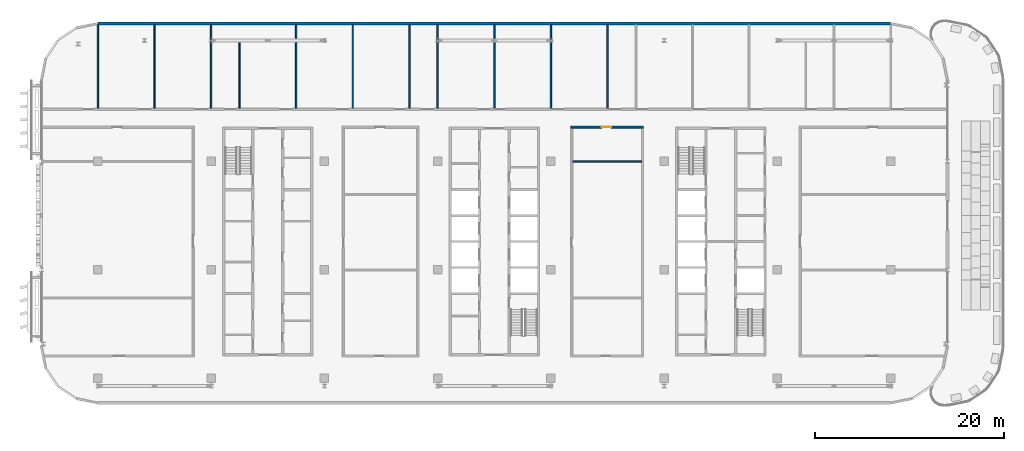
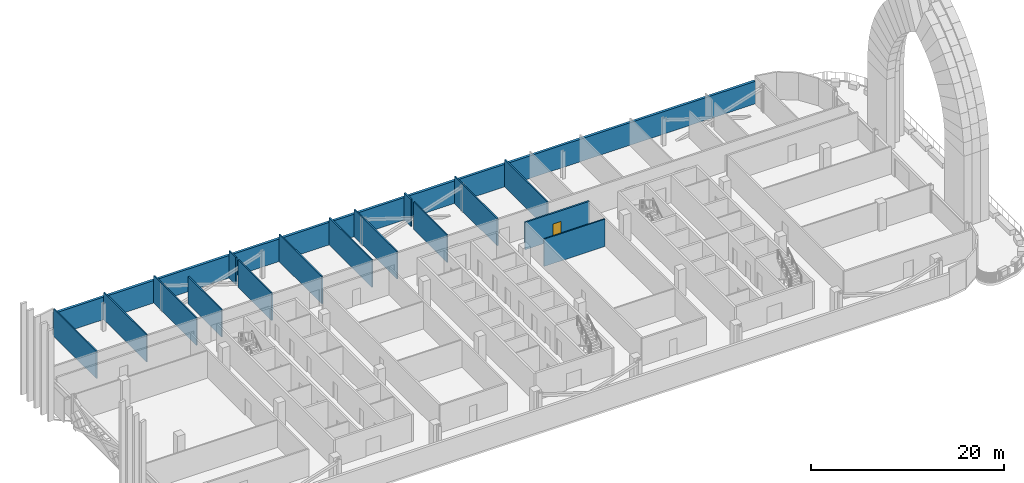
# One storey, part 16 of 30: 16 walls, 1 door, 1 opening.
"""IFC4 building model written with IfcOpenShell, lengths in metres."""

from ifc_helpers import new_model, si_unit, direction, frame, frame_2d, origin, place, context, subcontext, project, spatial, rectangle, extrude, material, layer, layer_set, type_object, element, fill, save


model = new_model("IFC4")

# Units and contexts
model_context = context("Model", 3, precision=1e-05, world=origin(), true_north=direction((0.0, 1.0)))
body_context = subcontext(model_context, "Body", "Model", "MODEL_VIEW")
ifc_project = project(units=[si_unit("LENGTHUNIT", "METRE"), si_unit("AREAUNIT", "SQUARE_METRE"), si_unit("VOLUMEUNIT", "CUBIC_METRE"), si_unit("PLANEANGLEUNIT", "RADIAN"), si_unit("MASSUNIT", "GRAM", prefix="KILO")], contexts=[model_context])

# Site, building, storey
site_placement = place(None, origin())
site = spatial("IfcSite", under=ifc_project, at=site_placement, CompositionType="ELEMENT")
building_placement = place(site_placement, origin())
building = spatial("IfcBuilding", under=site, at=building_placement, Name="Mahtab Terrace Research Tower", CompositionType="ELEMENT")
storey_placement = place(building_placement, frame((0.0, 0.0, 263.300048828125)))
storey = spatial("IfcBuildingStorey", under=building, at=storey_placement, Name="L64", CompositionType="ELEMENT", Elevation=263.300048828125)

# Wall
ifc_material_1 = material(Name="Black aluminium cladding panel", Category="aluminium")
ifc_layer_1 = layer(ifc_material_1, 0.300048828125)
ifc_layer_set_1 = layer_set([ifc_layer_1], Name="Opaque facade wall 300")
wall_type_1 = type_object("IfcWallType", Name="Opaque facade wall 300", PredefinedType="NOTDEFINED", material=ifc_layer_set_1)
wall_1_placement = place(storey_placement, frame((42.0, 26.112060546875, 0.0), z_axis=(0.0, 0.0, 1.0), x_axis=(-1.0, 0.0, 0.0)))
element("IfcWall", 1, at=wall_1_placement, inside=storey, type_object=wall_type_1, Name="Opaque facade wall L64 N3", PredefinedType="NOTDEFINED", context=body_context, shape_type="SweptSolid", body=[
    extrude(rectangle(XDim=84.0, YDim=0.300048828125, at=frame_2d((42.0, 0.0))), origin(), (0.0, 0.0, 1.0), 2.852783203125),
])

# Wall, opening, door
ifc_material_2 = material(Name="Gypsum board corridor wall on steel studs", Category="steel")
ifc_layer_2 = layer(ifc_material_2, 0.199951171875)
ifc_layer_set_2 = layer_set([ifc_layer_2], Name="WALL CORRIDOR 200")
wall_type_2 = type_object("IfcWallType", Name="WALL CORRIDOR 200", PredefinedType="PARTITIONING", material=ifc_layer_set_2)
wall_2_placement = place(storey_placement, frame((8.10009765625, 15.125, 0.0), z_axis=(0.0, 0.0, 1.0), x_axis=(1.0, 0.0, 0.0)))
wall_2 = element("IfcWall", 2, at=wall_2_placement, inside=storey, type_object=wall_type_2, Name="L64-W017", PredefinedType="PARTITIONING", context=body_context, shape_type="SweptSolid", body=[
    extrude(rectangle(XDim=7.699951171875, YDim=0.199951171875, at=frame_2d((3.85009765625, 0.0))), origin(), (0.0, 0.0, 1.0), 3.4599609375),
])
opening_placement = place(wall_2_placement, frame((3.300048828125, 0.0, 0.0)))
opening = element("IfcOpeningElement", 3, at=opening_placement, cuts=wall_2, Name="Opening L64-112", PredefinedType="OPENING", context=body_context, shape_type="SweptSolid", body=[
    extrude(rectangle(XDim=1.0, YDim=2.10009765625, at=frame_2d((0.5, 1.050048828125))), frame((0.0, 0.10986328125, 0.0), z_axis=(0.0, -1.0, 0.0), x_axis=(1.0, 0.0, 0.0)), (0.0, 0.0, 1.0), 0.219970703125),
])
ifc_material_3 = material(Name="Timber door leaf in steel frame", Category="steel")
door_type = type_object("IfcDoorType", Name="DOOR 1000X2100 FD30S", OperationType="SINGLE_SWING_LEFT", PredefinedType="DOOR", material=ifc_material_3)
door_placement = place(opening_placement, origin())
door = element("IfcDoor", 4, at=door_placement, inside=storey, type_object=door_type, Name="Door L64-112", OperationType="SINGLE_SWING_RIGHT", OverallHeight=2.10009765625, OverallWidth=1.0, PredefinedType="DOOR", context=body_context, shape_type="SweptSolid", body=[
    extrude(rectangle(XDim=1.0, YDim=2.10009765625, at=frame_2d((0.5, 1.050048828125))), frame((0.0, 0.02490234375, 0.0), z_axis=(0.0, -1.0, 0.0), x_axis=(1.0, 0.0, 0.0)), (0.0, 0.0, 1.0), 0.050048828125),
])
fill(opening, door)

# Walls
ifc_material_4 = material(Name="Gypsum board partition on steel studs", Category="steel")
ifc_layer_3 = layer(ifc_material_4, 0.14990234375)
ifc_layer_set_3 = layer_set([ifc_layer_3], Name="WALL PARTITION 150")
wall_type_3 = type_object("IfcWallType", Name="WALL PARTITION 150", PredefinedType="PARTITIONING", material=ifc_layer_set_3)
wall_3_placement = place(storey_placement, frame((8.300048828125, 11.5, 0.0), z_axis=(0.0, 0.0, 1.0), x_axis=(1.0, 0.0, 0.0)))
element("IfcWall", 5, at=wall_3_placement, inside=storey, type_object=wall_type_3, Name="L64-W014", PredefinedType="PARTITIONING", context=body_context, shape_type="SweptSolid", body=[
    extrude(rectangle(XDim=7.300048828125, YDim=0.14990234375, at=frame_2d((3.64990234375, 0.0))), origin(), (0.0, 0.0, 1.0), 3.4599609375),
])
wall_4_placement = place(storey_placement, frame((-42.0, 17.10009765625, 0.0), z_axis=(0.0, 0.0, 1.0), x_axis=(0.0, 1.0, 0.0)))
element("IfcWall", 6, at=wall_4_placement, inside=storey, type_object=wall_type_3, Name="L64-W020", PredefinedType="PARTITIONING", context=body_context, shape_type="SweptSolid", body=[
    extrude(rectangle(XDim=8.85888671875, YDim=0.14990234375, at=frame_2d((4.429443359375, 0.0))), origin(), (0.0, 0.0, 1.0), 3.4599609375),
])
for number, where, z_axis, x_axis, name in (
    (7, (-36.0, 17.10009765625, 0.0), (0.0, 0.0, 1.0), (0.0, 1.0, 0.0), "L64-W021"),
    (8, (-30.0, 17.10009765625, 0.0), (0.0, 0.0, 1.0), (0.0, 1.0, 0.0), "L64-W023"),
):
    element("IfcWall", number, at=place(storey_placement, frame(where, z_axis=z_axis, x_axis=x_axis)), inside=storey, type_object=wall_type_3, Name=name, PredefinedType="PARTITIONING", context=body_context, shape_type="SweptSolid", body=[
        extrude(rectangle(XDim=8.86181640625, YDim=0.14990234375, at=frame_2d((4.430908203125, 0.0))), origin(), (0.0, 0.0, 1.0), 3.4599609375),
    ])
for number, where, z_axis, x_axis, name in (
    (9, (-27.0, 17.10009765625, 0.0), (0.0, 0.0, 1.0), (0.0, 1.0, 0.0), "L64-W024"),
    (10, (-21.0, 17.10009765625, 0.0), (0.0, 0.0, 1.0), (0.0, 1.0, 0.0), "L64-W025"),
):
    element("IfcWall", number, at=place(storey_placement, frame(where, z_axis=z_axis, x_axis=x_axis)), inside=storey, type_object=wall_type_3, Name=name, PredefinedType="PARTITIONING", context=body_context, shape_type="SweptSolid", body=[
        extrude(rectangle(XDim=6.95458984375, YDim=0.14990234375, at=frame_2d((3.477294921875, 0.0))), origin(), (0.0, 0.0, 1.0), 3.4599609375),
    ])
wall_5_placement = place(storey_placement, frame((-21.0, 24.559326171875, 0.0), z_axis=(0.0, 0.0, 1.0), x_axis=(0.0, 1.0, 0.0)))
element("IfcWall", 11, at=wall_5_placement, inside=storey, type_object=wall_type_3, Name="L64-W026", PredefinedType="PARTITIONING", context=body_context, shape_type="SweptSolid", body=[
    extrude(rectangle(XDim=1.402587890625, YDim=0.14990234375, at=frame_2d((0.701171875, 0.0))), origin(), (0.0, 0.0, 1.0), 3.4599609375),
])
for number, where, z_axis, x_axis, name in (
    (12, (-15.0, 17.10009765625, 0.0), (0.0, 0.0, 1.0), (0.0, 1.0, 0.0), "L64-W028"),
    (13, (-9.0, 17.10009765625, 0.0), (0.0, 0.0, 1.0), (0.0, 1.0, 0.0), "L64-W029"),
    (14, (-6.0, 17.10009765625, 0.0), (0.0, 0.0, 1.0), (0.0, 1.0, 0.0), "L64-W031"),
):
    element("IfcWall", number, at=place(storey_placement, frame(where, z_axis=z_axis, x_axis=x_axis)), inside=storey, type_object=wall_type_3, Name=name, PredefinedType="PARTITIONING", context=body_context, shape_type="SweptSolid", body=[
        extrude(rectangle(XDim=8.86181640625, YDim=0.14990234375, at=frame_2d((4.430908203125, 0.0))), origin(), (0.0, 0.0, 1.0), 3.4599609375),
    ])
wall_6_placement = place(storey_placement, frame((0.0, 17.10009765625, 0.0), z_axis=(0.0, 0.0, 1.0), x_axis=(0.0, 1.0, 0.0)))
element("IfcWall", 15, at=wall_6_placement, inside=storey, type_object=wall_type_3, Name="L64-W032", PredefinedType="PARTITIONING", context=body_context, shape_type="SweptSolid", body=[
    extrude(rectangle(XDim=6.95458984375, YDim=0.14990234375, at=frame_2d((3.477294921875, 0.0))), origin(), (0.0, 0.0, 1.0), 3.4599609375),
])
wall_7_placement = place(storey_placement, frame((0.0, 24.559326171875, 0.0), z_axis=(0.0, 0.0, 1.0), x_axis=(0.0, 1.0, 0.0)))
element("IfcWall", 16, at=wall_7_placement, inside=storey, type_object=wall_type_3, Name="L64-W033", PredefinedType="PARTITIONING", context=body_context, shape_type="SweptSolid", body=[
    extrude(rectangle(XDim=1.402587890625, YDim=0.14990234375, at=frame_2d((0.701171875, 0.0))), origin(), (0.0, 0.0, 1.0), 3.4599609375),
])
for number, where, z_axis, x_axis, name in (
    (17, (6.0, 17.10009765625, 0.0), (0.0, 0.0, 1.0), (0.0, 1.0, 0.0), "L64-W034"),
    (18, (12.0, 17.10009765625, 0.0), (0.0, 0.0, 1.0), (0.0, 1.0, 0.0), "L64-W036"),
):
    element("IfcWall", number, at=place(storey_placement, frame(where, z_axis=z_axis, x_axis=x_axis)), inside=storey, type_object=wall_type_3, Name=name, PredefinedType="PARTITIONING", context=body_context, shape_type="SweptSolid", body=[
        extrude(rectangle(XDim=8.86181640625, YDim=0.14990234375, at=frame_2d((4.430908203125, 0.0))), origin(), (0.0, 0.0, 1.0), 3.4599609375),
    ])

save(model, "model.ifc")
